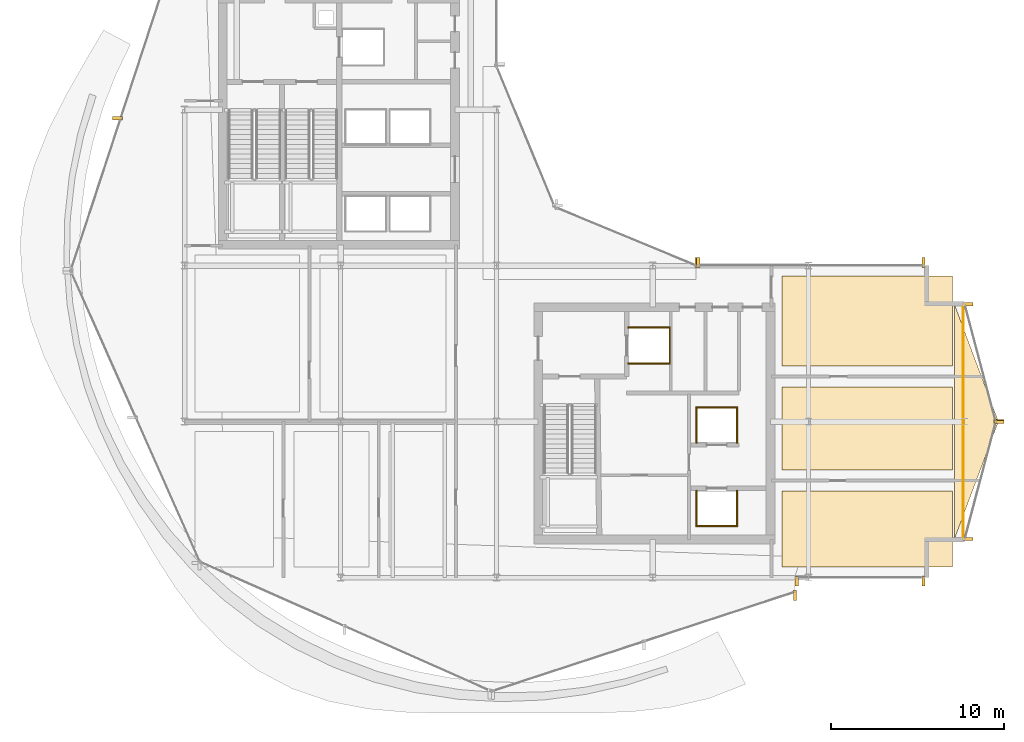
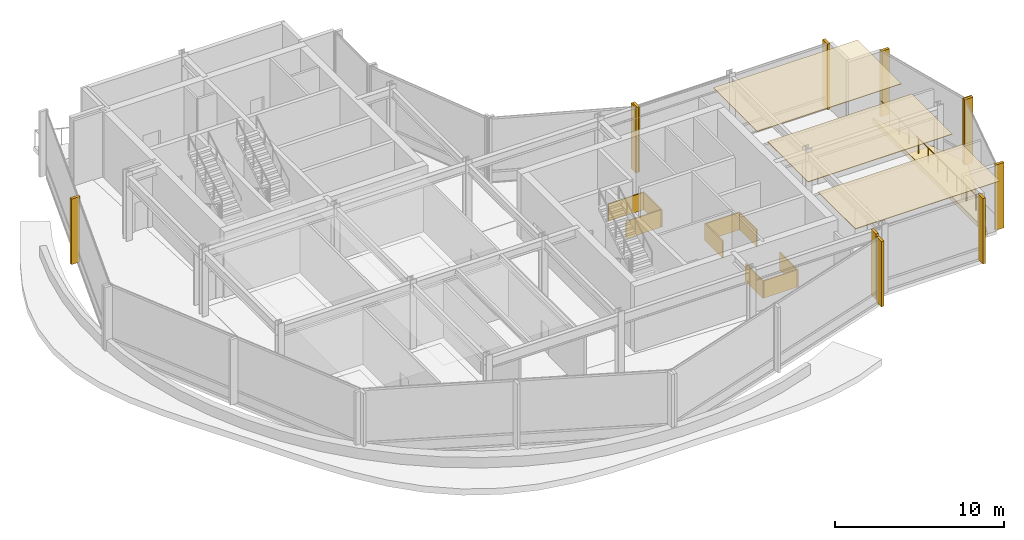
# One storey, part 27 of 29: 24 coverings, 1 railing.
"""IFC4 building model written with IfcOpenShell, lengths in metres."""

from ifc_helpers import new_model, si_unit, direction, frame, origin, origin_2d, place, context, subcontext, project, spatial, polyline, rectangle, circle, outline, extrude, material, layer, layer_set, type_object, element, save


model = new_model("IFC4")

# Units and contexts
model_context = context("Model", 3, precision=1e-05, world=origin(), true_north=direction((0.0, 1.0)))
body_context = subcontext(model_context, "Body", "Model", "MODEL_VIEW")
ifc_project = project(units=[si_unit("LENGTHUNIT", "METRE"), si_unit("AREAUNIT", "SQUARE_METRE"), si_unit("VOLUMEUNIT", "CUBIC_METRE"), si_unit("PLANEANGLEUNIT", "RADIAN"), si_unit("MASSUNIT", "GRAM", prefix="KILO")], contexts=[model_context])

# Site, building, storey
site_placement = place(None, origin())
site = spatial("IfcSite", under=ifc_project, at=site_placement, CompositionType="ELEMENT")
building_placement = place(site_placement, origin())
building = spatial("IfcBuilding", under=site, at=building_placement, Name="Solvaryn Broadcast Tower", CompositionType="ELEMENT")
storey_placement = place(building_placement, frame((0.0, 0.0, 169.199951171875)))
storey = spatial("IfcBuildingStorey", under=building, at=storey_placement, Name="L42", CompositionType="ELEMENT", Elevation=169.199951171875)

# Coverings
ifc_material_1 = material(Name="Micro-Perforated Acoustic Gypsum Ceiling", Category="concrete")
ifc_layer_1 = layer(ifc_material_1, 0.0400390625)
ifc_layer_set_1 = layer_set([ifc_layer_1], Name="CV-CEIL-ACOUSTIC")
covering_type_1 = type_object("IfcCoveringType", Name="CV-CEIL-ACOUSTIC", PredefinedType="CEILING", material=ifc_layer_set_1)
covering_1_placement = place(storey_placement, frame((0.0, 0.0, 4.679931640625)))
element("IfcCovering", 1, at=covering_1_placement, inside=storey, type_object=covering_type_1, Name="L42 Room Acoustic Ceiling 6", PredefinedType="CEILING", context=body_context, shape_type="SweptSolid", body=[
    extrude(outline(polyline([(43.449951171875, 9.60009765625), (53.300048828125, 9.60009765625), (53.300048828125, 14.0), (43.449951171875, 14.0), (43.449951171875, 9.60009765625)])), origin(), (0.0, 0.0, 1.0), 0.0400390625),
])
covering_2_placement = place(storey_placement, frame((0.0, 0.0, 4.679931640625)))
element("IfcCovering", 2, at=covering_2_placement, inside=storey, type_object=covering_type_1, Name="L42 Room Acoustic Ceiling 7", PredefinedType="CEILING", context=body_context, shape_type="SweptSolid", body=[
    extrude(outline(polyline([(43.449951171875, 15.199951171875), (53.300048828125, 15.199951171875), (53.300048828125, 20.0), (43.449951171875, 20.0), (43.449951171875, 15.199951171875)])), origin(), (0.0, 0.0, 1.0), 0.0400390625),
])
covering_3_placement = place(storey_placement, frame((0.0, 0.0, 4.679931640625)))
element("IfcCovering", 3, at=covering_3_placement, inside=storey, type_object=covering_type_1, Name="L42 Room Acoustic Ceiling 8", PredefinedType="CEILING", context=body_context, shape_type="SweptSolid", body=[
    extrude(outline(polyline([(43.449951171875, 21.199951171875), (53.300048828125, 21.199951171875), (53.300048828125, 26.39990234375), (43.449951171875, 26.39990234375), (43.449951171875, 21.199951171875)])), origin(), (0.0, 0.0, 1.0), 0.0400390625),
])
ifc_material_2 = material(Name="Fire-Rated Gypsum Shaftwall Liner", Category="concrete")
ifc_layer_2 = layer(ifc_material_2, 0.080078125)
ifc_layer_set_2 = layer_set([ifc_layer_2], Name="CV-SHAFT-LINER")
covering_type_2 = type_object("IfcCoveringType", Name="CV-SHAFT-LINER", PredefinedType="CLADDING", material=ifc_layer_set_2)
for number, where, z_axis, x_axis, name in (
    (4, (35.800048828125, 23.43994140625, 0.0), (0.0, 0.0, 1.0), (1.0, 0.0, 0.0), "L42 FL2 Hoistway Shaft Liner North"),
    (5, (35.800048828125, 21.360107421875, 0.0), (0.0, 0.0, 1.0), (1.0, 0.0, 0.0), "L42 FL2 Hoistway Shaft Liner South"),
):
    element("IfcCovering", number, at=place(storey_placement, frame(where, z_axis=z_axis, x_axis=x_axis)), inside=storey, type_object=covering_type_2, Name=name, PredefinedType="CLADDING", context=body_context, shape_type="SweptSolid", body=[
        extrude(rectangle(XDim=2.4599609375, YDim=0.080078125, at=origin_2d()), origin(), (0.0, 0.0, 1.0), 1.25),
    ])
covering_4_placement = place(storey_placement, frame((36.989990234375, 22.39990234375, 0.0), z_axis=(0.0, 0.0, 1.0), x_axis=(1.0, 0.0, 0.0)))
element("IfcCovering", 6, at=covering_4_placement, inside=storey, type_object=covering_type_2, Name="L42 FL2 Hoistway Shaft Liner East", PredefinedType="CLADDING", context=body_context, shape_type="SweptSolid", body=[
    extrude(rectangle(XDim=0.080078125, YDim=2.159912109375, at=origin_2d()), origin(), (0.0, 0.0, 1.0), 1.25),
])
covering_5_placement = place(storey_placement, frame((39.699951171875, 11.985107421875, 0.0), z_axis=(0.0, 0.0, 1.0), x_axis=(1.0, 0.0, 0.0)))
element("IfcCovering", 7, at=covering_5_placement, inside=storey, type_object=covering_type_2, Name="L42 PM1 Hoistway Shaft Liner South", PredefinedType="CLADDING", context=body_context, shape_type="SweptSolid", body=[
    extrude(rectangle(XDim=2.409912109375, YDim=0.080078125, at=origin_2d()), origin(), (0.0, 0.0, 1.0), 1.25),
])
for number, where, z_axis, x_axis, name in (
    (8, (40.864990234375, 13.0, 0.0), (0.0, 0.0, 1.0), (1.0, 0.0, 0.0), "L42 PM1 Hoistway Shaft Liner East"),
    (9, (38.534912109375, 13.0, 0.0), (0.0, 0.0, 1.0), (1.0, 0.0, 0.0), "L42 PM1 Hoistway Shaft Liner West"),
):
    element("IfcCovering", number, at=place(storey_placement, frame(where, z_axis=z_axis, x_axis=x_axis)), inside=storey, type_object=covering_type_2, Name=name, PredefinedType="CLADDING", context=body_context, shape_type="SweptSolid", body=[
        extrude(rectangle(XDim=0.080078125, YDim=2.110107421875, at=origin_2d()), origin(), (0.0, 0.0, 1.0), 1.25),
    ])
covering_6_placement = place(storey_placement, frame((39.699951171875, 18.81494140625, 0.0), z_axis=(0.0, 0.0, 1.0), x_axis=(1.0, 0.0, 0.0)))
element("IfcCovering", 10, at=covering_6_placement, inside=storey, type_object=covering_type_2, Name="L42 PM2 Hoistway Shaft Liner North", PredefinedType="CLADDING", context=body_context, shape_type="SweptSolid", body=[
    extrude(rectangle(XDim=2.409912109375, YDim=0.080078125, at=origin_2d()), origin(), (0.0, 0.0, 1.0), 1.25),
])
for number, where, z_axis, x_axis, name in (
    (11, (40.864990234375, 17.800048828125, 0.0), (0.0, 0.0, 1.0), (1.0, 0.0, 0.0), "L42 PM2 Hoistway Shaft Liner East"),
    (12, (38.534912109375, 17.800048828125, 0.0), (0.0, 0.0, 1.0), (1.0, 0.0, 0.0), "L42 PM2 Hoistway Shaft Liner West"),
):
    element("IfcCovering", number, at=place(storey_placement, frame(where, z_axis=z_axis, x_axis=x_axis)), inside=storey, type_object=covering_type_2, Name=name, PredefinedType="CLADDING", context=body_context, shape_type="SweptSolid", body=[
        extrude(rectangle(XDim=0.080078125, YDim=2.110107421875, at=origin_2d()), origin(), (0.0, 0.0, 1.0), 1.25),
    ])
ifc_material_3 = material(Name="Extruded Architectural Terracotta Fin", Category="masonry")
ifc_layer_3 = layer(ifc_material_3, 0.179931640625)
ifc_layer_set_3 = layer_set([ifc_layer_3], Name="CV-TC-FIN")
covering_type_3 = type_object("IfcCoveringType", Name="CV-TC-FIN", PredefinedType="USERDEFINED", material=ifc_layer_set_3)
covering_7_placement = place(storey_placement, frame((5.126953125, 35.500244140625, 0.0), z_axis=(0.0, 0.0, 1.0), x_axis=(1.0, 0.0, 0.0)))
element("IfcCovering", 13, at=covering_7_placement, inside=storey, type_object=covering_type_3, Name="L42 Terracotta Vertical Fin FIN-L42-DR1-M01", ObjectType="FIN", PredefinedType="USERDEFINED", context=body_context, shape_type="SweptSolid", body=[
    extrude(rectangle(XDim=0.580078125, YDim=0.179931640625, at=origin_2d()), origin(), (0.0, 0.0, 1.0), 4.719970703125),
])
for number, where, z_axis, x_axis, name in (
    (14, (44.209716796875, 7.982666015625, 0.0), (0.0, 0.0, 1.0), (1.0, 0.0, 0.0), "L42 Terracotta Vertical Fin FIN-L42-DR4-M02"),
    (15, (38.541259765625, 27.177978515625, 0.0), (0.0, 0.0, 1.0), (1.0, 0.0, 0.0), "L42 Terracotta Vertical Fin FIN-L42-CN1-M00"),
    (16, (44.31201171875, 8.8125, 0.0), (0.0, 0.0, 1.0), (1.0, 0.0, 0.0), "L42 Terracotta Vertical Fin FIN-L42-S2-M00"),
    (17, (51.6201171875, 8.8125, 0.0), (0.0, 0.0, 1.0), (1.0, 0.0, 0.0), "L42 Terracotta Vertical Fin FIN-L42-S2-M01"),
):
    element("IfcCovering", number, at=place(storey_placement, frame(where, z_axis=z_axis, x_axis=x_axis)), inside=storey, type_object=covering_type_3, Name=name, ObjectType="FIN", PredefinedType="USERDEFINED", context=body_context, shape_type="SweptSolid", body=[
        extrude(rectangle(XDim=0.179931640625, YDim=0.580078125, at=origin_2d()), origin(), (0.0, 0.0, 1.0), 4.719970703125),
    ])
for number, where, z_axis, x_axis, name in (
    (18, (54.1953125, 24.77099609375, 0.0), (0.0, 0.0, 1.0), (1.0, 0.0, 0.0), "L42 Terracotta Vertical Fin FIN-L42-ET1-M00"),
    (19, (55.979736328125, 18.029052734375, 0.0), (0.0, 0.0, 1.0), (1.0, 0.0, 0.0), "L42 Terracotta Vertical Fin FIN-L42-ET1-M01"),
    (20, (55.979736328125, 17.970947265625, 0.0), (0.0, 0.0, 1.0), (1.0, 0.0, 0.0), "L42 Terracotta Vertical Fin FIN-L42-ET2-M00"),
    (21, (54.1953125, 11.22900390625, 0.0), (0.0, 0.0, 1.0), (1.0, 0.0, 0.0), "L42 Terracotta Vertical Fin FIN-L42-ET2-M01"),
):
    element("IfcCovering", number, at=place(storey_placement, frame(where, z_axis=z_axis, x_axis=x_axis)), inside=storey, type_object=covering_type_3, Name=name, ObjectType="FIN", PredefinedType="USERDEFINED", context=body_context, shape_type="SweptSolid", body=[
        extrude(rectangle(XDim=0.580078125, YDim=0.179931640625, at=origin_2d()), origin(), (0.0, 0.0, 1.0), 4.719970703125),
    ])
for number, where, z_axis, x_axis, name in (
    (22, (38.6298828125, 27.1875, 0.0), (0.0, 0.0, 1.0), (1.0, 0.0, 0.0), "L42 Terracotta Vertical Fin FIN-L42-IH-M00"),
    (23, (51.6201171875, 27.1875, 0.0), (0.0, 0.0, 1.0), (1.0, 0.0, 0.0), "L42 Terracotta Vertical Fin FIN-L42-IH-M01"),
):
    element("IfcCovering", number, at=place(storey_placement, frame(where, z_axis=z_axis, x_axis=x_axis)), inside=storey, type_object=covering_type_3, Name=name, ObjectType="FIN", PredefinedType="USERDEFINED", context=body_context, shape_type="SweptSolid", body=[
        extrude(rectangle(XDim=0.179931640625, YDim=0.580078125, at=origin_2d()), origin(), (0.0, 0.0, 1.0), 4.719970703125),
    ])
ifc_material_4 = material(Name="Sculpted Architectural Terracotta Wave Fascia", Category="masonry")
ifc_layer_4 = layer(ifc_material_4, 0.340087890625)
ifc_layer_set_4 = layer_set([ifc_layer_4], Name="CV-WAVE-TRAY")
covering_type_4 = type_object("IfcCoveringType", Name="CV-WAVE-TRAY", PredefinedType="CLADDING", material=ifc_layer_set_4)
covering_8_placement = place(storey_placement, frame((0.0, 0.0, -0.300048828125)))
element("IfcCovering", 24, at=covering_8_placement, inside=storey, type_object=covering_type_4, Name="L42 East Curved Wing Deck", PredefinedType="CLADDING", context=body_context, shape_type="SweptSolid", body=[
    extrude(outline(polyline([(53.39990234375, 11.199951171875), (55.949951171875, 18.0), (53.39990234375, 24.800048828125), (53.39990234375, 11.199951171875)])), origin(), (0.0, 0.0, 1.0), 0.330078125),
])

# Railing
ifc_material_5 = material(Name="Stainless Steel and Laminated Glass Guard", Category="steel")
railing_type = type_object("IfcRailingType", Name="RL-TER-1150", PredefinedType="BALUSTRADE", material=ifc_material_5)
railing_placement = place(storey_placement, frame((53.919921875, 11.199951171875, 0.0)))
element("IfcRailing", 25, at=railing_placement, inside=storey, type_object=railing_type, Name="L42 East Wing Spandrel Edge Guard", PredefinedType="BALUSTRADE", context=body_context, shape_type="SweptSolid", body=[
    extrude(circle(Radius=0.02392578125, at=origin_2d()), frame((0.0, 0.0, 1.1259765625), z_axis=(0.0, 1.0, 0.0), x_axis=(-1.0, 0.0, 0.0)), (0.0, 0.0, 1.0), 13.60009765625),
    extrude(circle(Radius=0.02099609375, at=origin_2d()), origin(), (0.0, 0.0, 1.0), 1.101806640625),
    extrude(circle(Radius=0.02099609375, at=origin_2d()), frame((0.0, 1.13330078125, 0.0)), (0.0, 0.0, 1.0), 1.101806640625),
    extrude(circle(Radius=0.02099609375, at=origin_2d()), frame((0.0, 2.2666015625, 0.0)), (0.0, 0.0, 1.0), 1.101806640625),
    extrude(circle(Radius=0.02099609375, at=origin_2d()), frame((0.0, 3.39990234375, 0.0)), (0.0, 0.0, 1.0), 1.101806640625),
    extrude(circle(Radius=0.02099609375, at=origin_2d()), frame((0.0, 4.533447265625, 0.0)), (0.0, 0.0, 1.0), 1.101806640625),
    extrude(circle(Radius=0.02099609375, at=origin_2d()), frame((0.0, 5.666748046875, 0.0)), (0.0, 0.0, 1.0), 1.101806640625),
    extrude(circle(Radius=0.02099609375, at=origin_2d()), frame((0.0, 6.800048828125, 0.0)), (0.0, 0.0, 1.0), 1.101806640625),
    extrude(circle(Radius=0.02099609375, at=origin_2d()), frame((0.0, 7.933349609375, 0.0)), (0.0, 0.0, 1.0), 1.101806640625),
    extrude(circle(Radius=0.02099609375, at=origin_2d()), frame((0.0, 9.066650390625, 0.0)), (0.0, 0.0, 1.0), 1.101806640625),
    extrude(circle(Radius=0.02099609375, at=origin_2d()), frame((0.0, 10.2001953125, 0.0)), (0.0, 0.0, 1.0), 1.101806640625),
    extrude(circle(Radius=0.02099609375, at=origin_2d()), frame((0.0, 11.33349609375, 0.0)), (0.0, 0.0, 1.0), 1.101806640625),
    extrude(circle(Radius=0.02099609375, at=origin_2d()), frame((0.0, 12.466796875, 0.0)), (0.0, 0.0, 1.0), 1.101806640625),
    extrude(circle(Radius=0.02099609375, at=origin_2d()), frame((0.0, 13.60009765625, 0.0)), (0.0, 0.0, 1.0), 1.101806640625),
])

save(model, "model.ifc")
